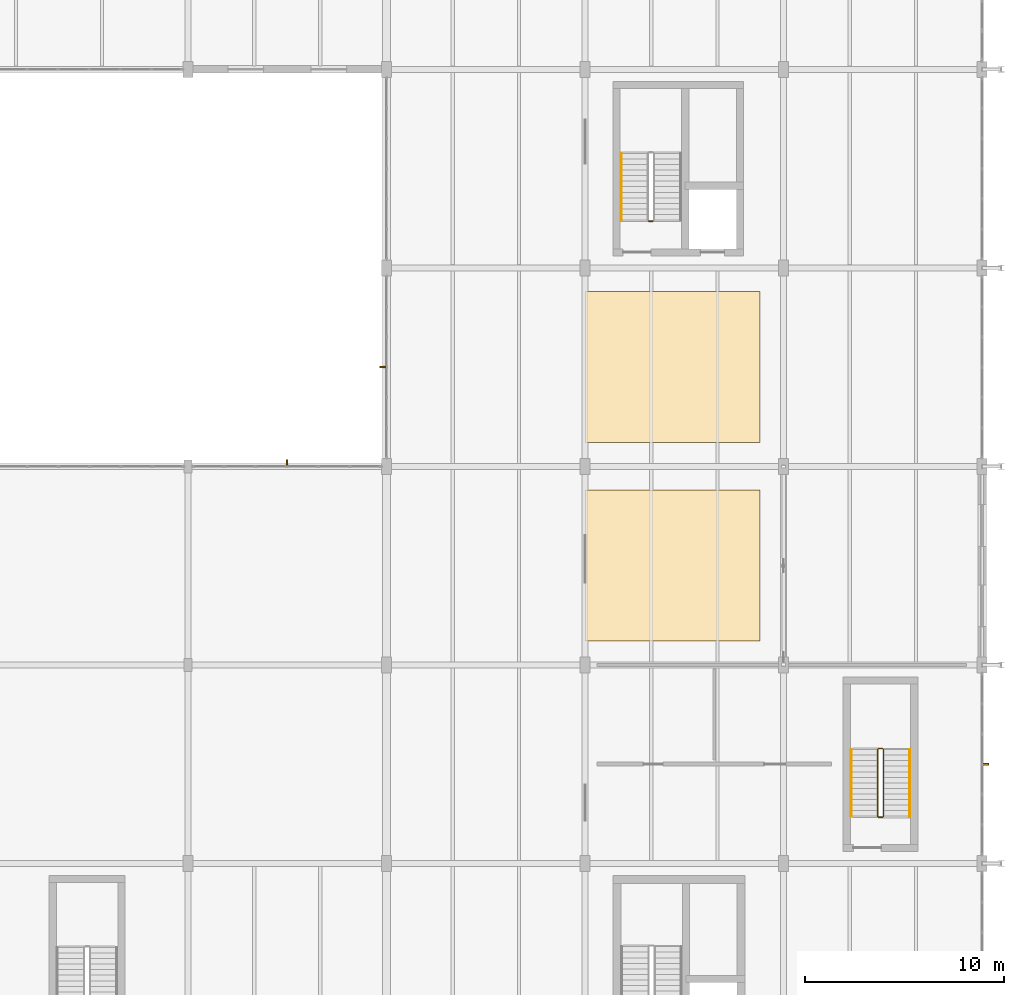
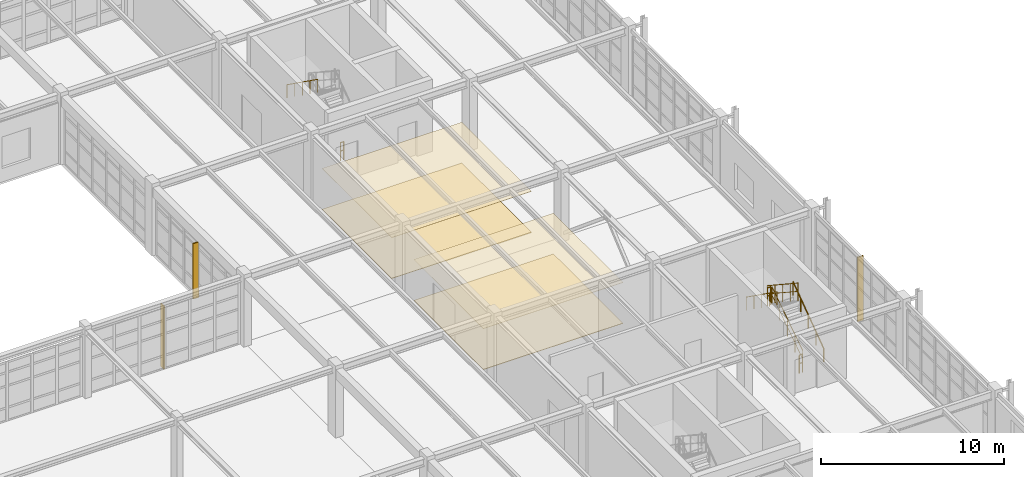
# One storey, part 137 of 139: 8 railings, 4 coverings, 3 shading devices.
"""IFC4 building model written with IfcOpenShell, lengths in metres."""

from ifc_helpers import new_model, si_unit, direction, frame, origin, origin_2d, place, context, subcontext, project, spatial, polyline, rectangle, circle, outline, extrude, material, layer, layer_set, type_object, element, save


model = new_model("IFC4")

# Units and contexts
model_context = context("Model", 3, precision=1e-05, world=origin(), true_north=direction((0.0, 1.0)))
body_context = subcontext(model_context, "Body", "Model", "MODEL_VIEW")
ifc_project = project(units=[si_unit("LENGTHUNIT", "METRE"), si_unit("AREAUNIT", "SQUARE_METRE"), si_unit("VOLUMEUNIT", "CUBIC_METRE"), si_unit("PLANEANGLEUNIT", "RADIAN"), si_unit("MASSUNIT", "GRAM", prefix="KILO"), si_unit("THERMODYNAMICTEMPERATUREUNIT", "KELVIN"), si_unit("POWERUNIT", "WATT")], contexts=[model_context])

# Site, building, storey
site_placement = place(None, origin())
site = spatial("IfcSite", under=ifc_project, at=site_placement, CompositionType="ELEMENT")
building_placement = place(site_placement, origin())
building = spatial("IfcBuilding", under=site, at=building_placement, Name="Korenveer Ferry Terminal", CompositionType="ELEMENT")
storey_placement = place(building_placement, frame((0.0, 0.0, 5.39990234375)))
storey = spatial("IfcBuildingStorey", under=building, at=storey_placement, Name="L01", CompositionType="ELEMENT", Elevation=5.39990234375)

# Shading devices
ifc_material_1 = material(Name="Anodised bronze aluminium solar fin", Category="aluminium")
shading_device_type = type_object("IfcShadingDeviceType", Name="ENV-SHD-FIN", PredefinedType="JALOUSIE", material=ifc_material_1)
shading_device_1_placement = place(storey_placement, frame((140.97509765625, 50.159912109375, -0.02001953125), z_axis=(0.0, 0.0, 1.0), x_axis=(0.0, 1.0, 0.0)))
element("IfcShadingDevice", 1, at=shading_device_1_placement, inside=storey, type_object=shading_device_type, Name="Gothic solar fin 20", PredefinedType="JALOUSIE", context=body_context, shape_type="SweptSolid", body=[
    extrude(rectangle(XDim=0.360107421875, YDim=0.080078125, at=origin_2d()), origin(), (0.0, 0.0, 1.0), 4.179931640625),
])
shading_device_2_placement = place(storey_placement, frame((145.840087890625, 55.0, -0.019775390625), z_axis=(0.0, 0.0, 1.0), x_axis=(1.0, 0.0, 0.0)))
element("IfcShadingDevice", 2, at=shading_device_2_placement, inside=storey, type_object=shading_device_type, Name="Gothic solar fin 35", PredefinedType="JALOUSIE", context=body_context, shape_type="SweptSolid", body=[
    extrude(rectangle(XDim=0.360107421875, YDim=0.080078125, at=origin_2d()), origin(), (0.0, 0.0, 1.0), 3.68994140625),
])
shading_device_3_placement = place(storey_placement, frame((176.159912109375, 35.0, -0.02001953125), z_axis=(0.0, 0.0, 1.0), x_axis=(1.0, 0.0, 0.0)))
element("IfcShadingDevice", 3, at=shading_device_3_placement, inside=storey, type_object=shading_device_type, Name="Gothic solar fin 36", PredefinedType="JALOUSIE", context=body_context, shape_type="SweptSolid", body=[
    extrude(rectangle(XDim=0.360107421875, YDim=0.080078125, at=origin_2d()), origin(), (0.0, 0.0, 1.0), 4.2900390625),
])

# Coverings
ifc_material_2 = material(Name="Mineral acoustic ceiling board", Category="other")
ifc_layer_1 = layer(ifc_material_2, 0.02490234375)
ifc_layer_set_1 = layer_set([ifc_layer_1], Name="Mineral acoustic ceiling board")
covering_type_1 = type_object("IfcCoveringType", Name="INT-COV-CEIL", PredefinedType="CEILING", material=ifc_layer_set_1)
covering_1_placement = place(storey_placement, frame((0.0, 0.0, 2.72509765625)))
element("IfcCovering", 4, at=covering_1_placement, inside=storey, type_object=covering_type_1, Name="Acoustic room ceiling 7", PredefinedType="CEILING", context=body_context, shape_type="SweptSolid", body=[
    extrude(outline(polyline([(156.0, 41.199951171875), (164.800048828125, 41.199951171875), (164.800048828125, 48.800048828125), (156.0, 48.800048828125), (156.0, 41.199951171875)])), origin(), (0.0, 0.0, 1.0), 0.02490234375),
])
covering_2_placement = place(storey_placement, frame((0.0, 0.0, 2.72509765625)))
element("IfcCovering", 5, at=covering_2_placement, inside=storey, type_object=covering_type_1, Name="Acoustic room ceiling 8", PredefinedType="CEILING", context=body_context, shape_type="SweptSolid", body=[
    extrude(outline(polyline([(156.0, 51.199951171875), (164.800048828125, 51.199951171875), (164.800048828125, 58.800048828125), (156.0, 58.800048828125), (156.0, 51.199951171875)])), origin(), (0.0, 0.0, 1.0), 0.02490234375),
])
ifc_material_3 = material(Name="Polished terrazzo tile finish", Category="masonry")
ifc_layer_2 = layer(ifc_material_3, 0.030029296875)
ifc_layer_set_2 = layer_set([ifc_layer_2], Name="Polished terrazzo tile finish")
covering_type_2 = type_object("IfcCoveringType", Name="INT-COV-FLR", PredefinedType="FLOORING", material=ifc_layer_set_2)
covering_3_placement = place(storey_placement, origin())
element("IfcCovering", 6, at=covering_3_placement, inside=storey, type_object=covering_type_2, Name="Terrazzo floor finish 7", PredefinedType="FLOORING", context=body_context, shape_type="SweptSolid", body=[
    extrude(outline(polyline([(156.0, 41.199951171875), (164.800048828125, 41.199951171875), (164.800048828125, 48.800048828125), (156.0, 48.800048828125), (156.0, 41.199951171875)])), origin(), (0.0, 0.0, 1.0), 0.030029296875),
])
covering_4_placement = place(storey_placement, origin())
element("IfcCovering", 7, at=covering_4_placement, inside=storey, type_object=covering_type_2, Name="Terrazzo floor finish 8", PredefinedType="FLOORING", context=body_context, shape_type="SweptSolid", body=[
    extrude(outline(polyline([(156.0, 51.199951171875), (164.800048828125, 51.199951171875), (164.800048828125, 58.800048828125), (156.0, 58.800048828125), (156.0, 51.199951171875)])), origin(), (0.0, 0.0, 1.0), 0.030029296875),
])

# Railings
ifc_material_4 = material(Name="Brushed stainless steel handrail", Category="steel")
railing_type_1 = type_object("IfcRailingType", Name="INT-RL-HND90", PredefinedType="HANDRAIL", material=ifc_material_4)
railing_1_placement = place(storey_placement, frame((157.81005859375, 65.77001953125, 2.584716796875)))
element("IfcRailing", 8, at=railing_1_placement, inside=storey, type_object=railing_type_1, Name="L01 ST04 stair handrail 2", PredefinedType="HANDRAIL", context=body_context, shape_type="SweptSolid", body=[
    extrude(circle(Radius=0.02392578125, at=origin_2d()), frame((0.0, 0.0, 0.8759765625), z_axis=(0.0, -0.813753445783, 0.581210228297), x_axis=(1.0, 0.0, 0.0)), (0.0, 0.0, 1.0), 4.129150390625),
    extrude(circle(Radius=0.02099609375, at=origin_2d()), origin(), (0.0, 0.0, 1.0), 0.851806640625),
    extrude(circle(Radius=0.02099609375, at=origin_2d()), frame((0.0, -0.840087890625, 0.60009765625)), (0.0, 0.0, 1.0), 0.851806640625),
    extrude(circle(Radius=0.02099609375, at=origin_2d()), frame((0.0, -1.68017578125, 1.199951171875)), (0.0, 0.0, 1.0), 0.851806640625),
    extrude(circle(Radius=0.02099609375, at=origin_2d()), frame((0.0, -2.52001953125, 1.7998046875)), (0.0, 0.0, 1.0), 0.851806640625),
    extrude(circle(Radius=0.02099609375, at=origin_2d()), frame((0.0, -3.360107421875, 2.39990234375)), (0.0, 0.0, 1.0), 0.851806640625),
])
railing_2_placement = place(storey_placement, frame((172.35009765625, 32.3798828125, 0.184814453125)))
element("IfcRailing", 9, at=railing_2_placement, inside=storey, type_object=railing_type_1, Name="L01 ST12 stair handrail 1", PredefinedType="HANDRAIL", context=body_context, shape_type="SweptSolid", body=[
    extrude(circle(Radius=0.02392578125, at=origin_2d()), frame((0.0, 0.0, 0.8759765625), z_axis=(0.0, 0.813753445783, 0.581210228297), x_axis=(-1.0, 0.0, 0.0)), (0.0, 0.0, 1.0), 4.129150390625),
    extrude(circle(Radius=0.02099609375, at=origin_2d()), origin(), (0.0, 0.0, 1.0), 0.851806640625),
    extrude(circle(Radius=0.02099609375, at=origin_2d()), frame((0.0, 0.840087890625, 0.60009765625)), (0.0, 0.0, 1.0), 0.851806640625),
    extrude(circle(Radius=0.02099609375, at=origin_2d()), frame((0.0, 1.68017578125, 1.199951171875)), (0.0, 0.0, 1.0), 0.851806640625),
    extrude(circle(Radius=0.02099609375, at=origin_2d()), frame((0.0, 2.52001953125, 1.7998046875)), (0.0, 0.0, 1.0), 0.851806640625),
    extrude(circle(Radius=0.02099609375, at=origin_2d()), frame((0.0, 3.360107421875, 2.39990234375)), (0.0, 0.0, 1.0), 0.851806640625),
])
railing_3_placement = place(storey_placement, frame((169.409912109375, 35.739990234375, 2.584716796875)))
element("IfcRailing", 10, at=railing_3_placement, inside=storey, type_object=railing_type_1, Name="L01 ST12 stair handrail 2", PredefinedType="HANDRAIL", context=body_context, shape_type="SweptSolid", body=[
    extrude(circle(Radius=0.02392578125, at=origin_2d()), frame((0.0, 0.0, 0.8759765625), z_axis=(0.0, -0.813753445783, 0.581210228297), x_axis=(1.0, 0.0, 0.0)), (0.0, 0.0, 1.0), 4.129150390625),
    extrude(circle(Radius=0.02099609375, at=origin_2d()), origin(), (0.0, 0.0, 1.0), 0.851806640625),
    extrude(circle(Radius=0.02099609375, at=origin_2d()), frame((0.0, -0.840087890625, 0.60009765625)), (0.0, 0.0, 1.0), 0.851806640625),
    extrude(circle(Radius=0.02099609375, at=origin_2d()), frame((0.0, -1.68017578125, 1.199951171875)), (0.0, 0.0, 1.0), 0.851806640625),
    extrude(circle(Radius=0.02099609375, at=origin_2d()), frame((0.0, -2.52001953125, 1.7998046875)), (0.0, 0.0, 1.0), 0.851806640625),
    extrude(circle(Radius=0.02099609375, at=origin_2d()), frame((0.0, -3.360107421875, 2.39990234375)), (0.0, 0.0, 1.0), 0.851806640625),
])
ifc_material_5 = material(Name="Painted steel stair guard", Category="steel")
railing_type_2 = type_object("IfcRailingType", Name="INT-RL-STGRD", PredefinedType="GUARDRAIL", material=ifc_material_5)
railing_4_placement = place(storey_placement, frame((159.409912109375, 62.360107421875, 0.0)))
element("IfcRailing", 11, at=railing_4_placement, inside=storey, type_object=railing_type_2, Name="L01 ST04 stair guard 4", PredefinedType="GUARDRAIL", context=body_context, shape_type="SweptSolid", body=[
    extrude(circle(Radius=0.02392578125, at=origin_2d()), frame((0.0, 0.0, 1.17578125), z_axis=(-1.0, 0.0, 0.0), x_axis=(0.0, -1.0, 0.0)), (0.0, 0.0, 1.0), 0.199951171875),
    extrude(circle(Radius=0.01806640625, at=origin_2d()), frame((0.0, 0.0, 0.6240234375), z_axis=(-1.0, 0.0, 0.0), x_axis=(0.0, -1.0, 0.0)), (0.0, 0.0, 1.0), 0.199951171875),
    extrude(circle(Radius=0.02099609375, at=origin_2d()), origin(), (0.0, 0.0, 1.0), 1.15185546875),
    extrude(circle(Radius=0.02099609375, at=origin_2d()), frame((-0.199951171875, 0.0, 0.0)), (0.0, 0.0, 1.0), 1.15185546875),
])
railing_5_placement = place(storey_placement, frame((171.030029296875, 32.3798828125, 0.184814453125)))
element("IfcRailing", 12, at=railing_5_placement, inside=storey, type_object=railing_type_2, Name="L01 ST12 stair guard 1", PredefinedType="GUARDRAIL", context=body_context, shape_type="SweptSolid", body=[
    extrude(circle(Radius=0.02392578125, at=origin_2d()), frame((0.0, 0.0, 1.17578125), z_axis=(0.0, 0.834876476806, 0.550437342915), x_axis=(-1.0, 0.0, 0.0)), (0.0, 0.0, 1.0), 4.024658203125),
    extrude(circle(Radius=0.01806640625, at=origin_2d()), frame((0.0, 0.0, 0.6240234375), z_axis=(0.0, 0.834876476806, 0.550437342915), x_axis=(-1.0, 0.0, 0.0)), (0.0, 0.0, 1.0), 4.024658203125),
    extrude(circle(Radius=0.02099609375, at=origin_2d()), origin(), (0.0, 0.0, 1.0), 1.15185546875),
    extrude(circle(Radius=0.02099609375, at=origin_2d()), frame((0.0, 0.840087890625, 0.5537109375)), (0.0, 0.0, 1.0), 1.15185546875),
    extrude(circle(Radius=0.02099609375, at=origin_2d()), frame((0.0, 1.68017578125, 1.107666015625)), (0.0, 0.0, 1.0), 1.15185546875),
    extrude(circle(Radius=0.02099609375, at=origin_2d()), frame((0.0, 2.52001953125, 1.66162109375)), (0.0, 0.0, 1.0), 1.15185546875),
    extrude(circle(Radius=0.02099609375, at=origin_2d()), frame((0.0, 3.360107421875, 2.21533203125)), (0.0, 0.0, 1.0), 1.15185546875),
])
railing_6_placement = place(storey_placement, frame((170.97998046875, 35.7900390625, 2.400146484375)))
element("IfcRailing", 13, at=railing_6_placement, inside=storey, type_object=railing_type_2, Name="L01 ST12 stair guard 2", PredefinedType="GUARDRAIL", context=body_context, shape_type="SweptSolid", body=[
    extrude(circle(Radius=0.02392578125, at=origin_2d()), frame((0.0, 0.0, 1.17578125), z_axis=(-1.0, 0.0, 0.0), x_axis=(0.0, -1.0, 0.0)), (0.0, 0.0, 1.0), 0.199951171875),
    extrude(circle(Radius=0.01806640625, at=origin_2d()), frame((0.0, 0.0, 0.6240234375), z_axis=(-1.0, 0.0, 0.0), x_axis=(0.0, -1.0, 0.0)), (0.0, 0.0, 1.0), 0.199951171875),
    extrude(circle(Radius=0.02099609375, at=origin_2d()), origin(), (0.0, 0.0, 1.0), 1.15185546875),
    extrude(circle(Radius=0.02099609375, at=origin_2d()), frame((-0.199951171875, 0.0, 0.0)), (0.0, 0.0, 1.0), 1.15185546875),
])
railing_7_placement = place(storey_placement, frame((170.72998046875, 35.739990234375, 2.584716796875)))
element("IfcRailing", 14, at=railing_7_placement, inside=storey, type_object=railing_type_2, Name="L01 ST12 stair guard 3", PredefinedType="GUARDRAIL", context=body_context, shape_type="SweptSolid", body=[
    extrude(circle(Radius=0.02392578125, at=origin_2d()), frame((0.0, 0.0, 1.17578125), z_axis=(0.0, -0.834876476806, 0.550437342915), x_axis=(1.0, 0.0, 0.0)), (0.0, 0.0, 1.0), 4.024658203125),
    extrude(circle(Radius=0.01806640625, at=origin_2d()), frame((0.0, 0.0, 0.6240234375), z_axis=(0.0, -0.834876476806, 0.550437342915), x_axis=(1.0, 0.0, 0.0)), (0.0, 0.0, 1.0), 4.024658203125),
    extrude(circle(Radius=0.02099609375, at=origin_2d()), origin(), (0.0, 0.0, 1.0), 1.15185546875),
    extrude(circle(Radius=0.02099609375, at=origin_2d()), frame((0.0, -0.840087890625, 0.5537109375)), (0.0, 0.0, 1.0), 1.15185546875),
    extrude(circle(Radius=0.02099609375, at=origin_2d()), frame((0.0, -1.68017578125, 1.107666015625)), (0.0, 0.0, 1.0), 1.15185546875),
    extrude(circle(Radius=0.02099609375, at=origin_2d()), frame((0.0, -2.52001953125, 1.66162109375)), (0.0, 0.0, 1.0), 1.15185546875),
    extrude(circle(Radius=0.02099609375, at=origin_2d()), frame((0.0, -3.360107421875, 2.21533203125)), (0.0, 0.0, 1.0), 1.15185546875),
])
railing_8_placement = place(storey_placement, frame((170.97998046875, 32.330078125, 0.0)))
element("IfcRailing", 15, at=railing_8_placement, inside=storey, type_object=railing_type_2, Name="L01 ST12 stair guard 4", PredefinedType="GUARDRAIL", context=body_context, shape_type="SweptSolid", body=[
    extrude(circle(Radius=0.02392578125, at=origin_2d()), frame((0.0, 0.0, 1.17578125), z_axis=(-1.0, 0.0, 0.0), x_axis=(0.0, -1.0, 0.0)), (0.0, 0.0, 1.0), 0.199951171875),
    extrude(circle(Radius=0.01806640625, at=origin_2d()), frame((0.0, 0.0, 0.6240234375), z_axis=(-1.0, 0.0, 0.0), x_axis=(0.0, -1.0, 0.0)), (0.0, 0.0, 1.0), 0.199951171875),
    extrude(circle(Radius=0.02099609375, at=origin_2d()), origin(), (0.0, 0.0, 1.0), 1.15185546875),
    extrude(circle(Radius=0.02099609375, at=origin_2d()), frame((-0.199951171875, 0.0, 0.0)), (0.0, 0.0, 1.0), 1.15185546875),
])

save(model, "model.ifc")
